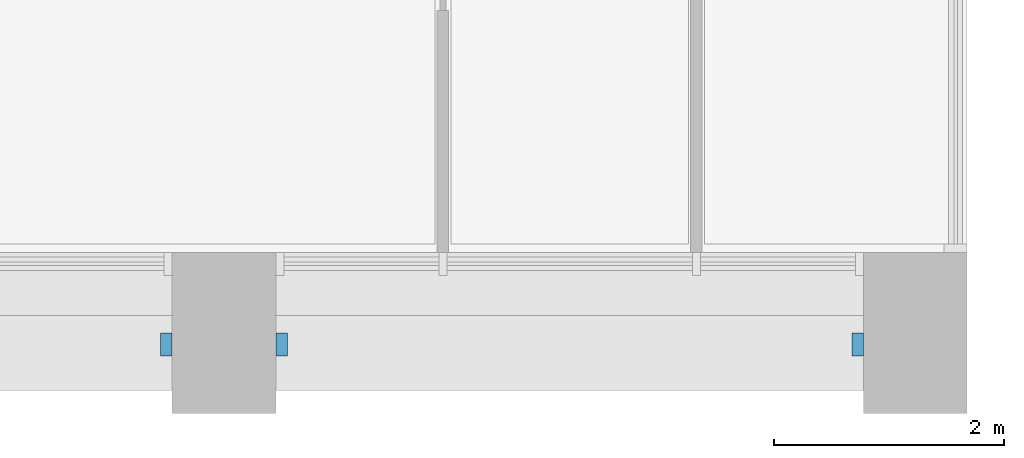
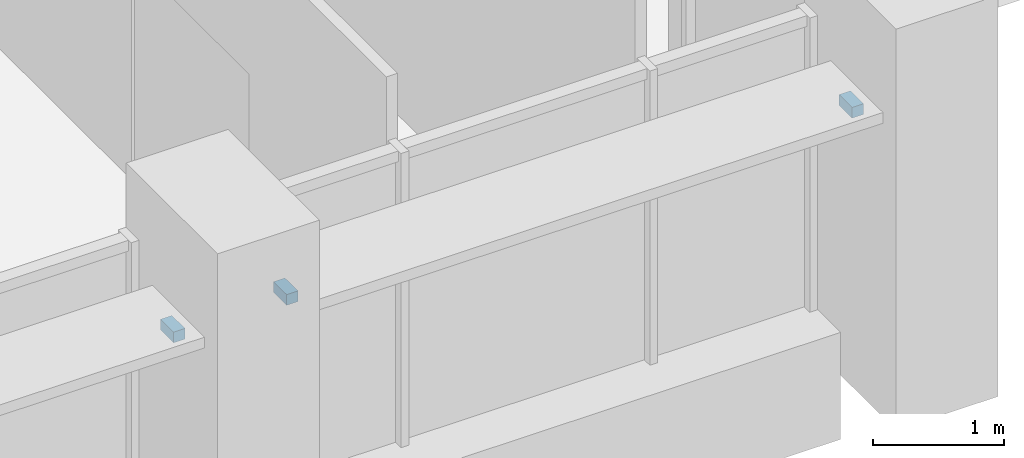
# One storey, part 14 of 15: 3 discrete accessories.
"""IFC4 building model written with IfcOpenShell, lengths in metres."""

from ifc_helpers import new_model, si_unit, direction, frame, origin, origin_2d, place, context, subcontext, project, spatial, rectangle, extrude, element, save


model = new_model("IFC4")

# Units and contexts
model_context = context("Model", 3, precision=1e-05, world=origin(), true_north=direction((0.0, 1.0)))
body_context = subcontext(model_context, "Body", "Model", "MODEL_VIEW")
ifc_project = project(units=[si_unit("LENGTHUNIT", "METRE"), si_unit("AREAUNIT", "SQUARE_METRE"), si_unit("VOLUMEUNIT", "CUBIC_METRE"), si_unit("PLANEANGLEUNIT", "RADIAN"), si_unit("MASSUNIT", "GRAM", prefix="KILO")], contexts=[model_context])

# Site, building, storey
site_placement = place(None, origin())
site = spatial("IfcSite", under=ifc_project, at=site_placement, CompositionType="ELEMENT")
building_placement = place(site_placement, origin())
building = spatial("IfcBuilding", under=site, at=building_placement, Name="Calvaro Tower", CompositionType="ELEMENT")
storey_placement = place(building_placement, frame((0.0, 0.0, 113.75)))
storey = spatial("IfcBuildingStorey", under=building, at=storey_placement, Name="L28", CompositionType="ELEMENT", Elevation=113.75)

# Discrete accessories
for number, where, z_axis, x_axis, name in (
    (1, (59.5, 2.10009765625, 2.25), (0.0, 0.0, 1.0), (1.0, 0.0, 0.0), "Brise-soleil bracket"),
    (2, (60.5, 2.10009765625, 2.25), (0.0, 0.0, 1.0), (1.0, 0.0, 0.0), "Brise-soleil bracket"),
    (3, (65.5, 2.10009765625, 2.25), (0.0, 0.0, 1.0), (1.0, 0.0, 0.0), "Brise-soleil bracket"),
):
    element("IfcDiscreteAccessory", number, at=place(storey_placement, frame(where, z_axis=z_axis, x_axis=x_axis)), inside=storey, Name=name, PredefinedType="BRACKET", context=body_context, shape_type="SweptSolid", body=[
        extrude(rectangle(XDim=0.10009765625, YDim=0.199951171875, at=origin_2d()), origin(), (0.0, 0.0, 1.0), 0.10009765625),
    ])

save(model, "model.ifc")
